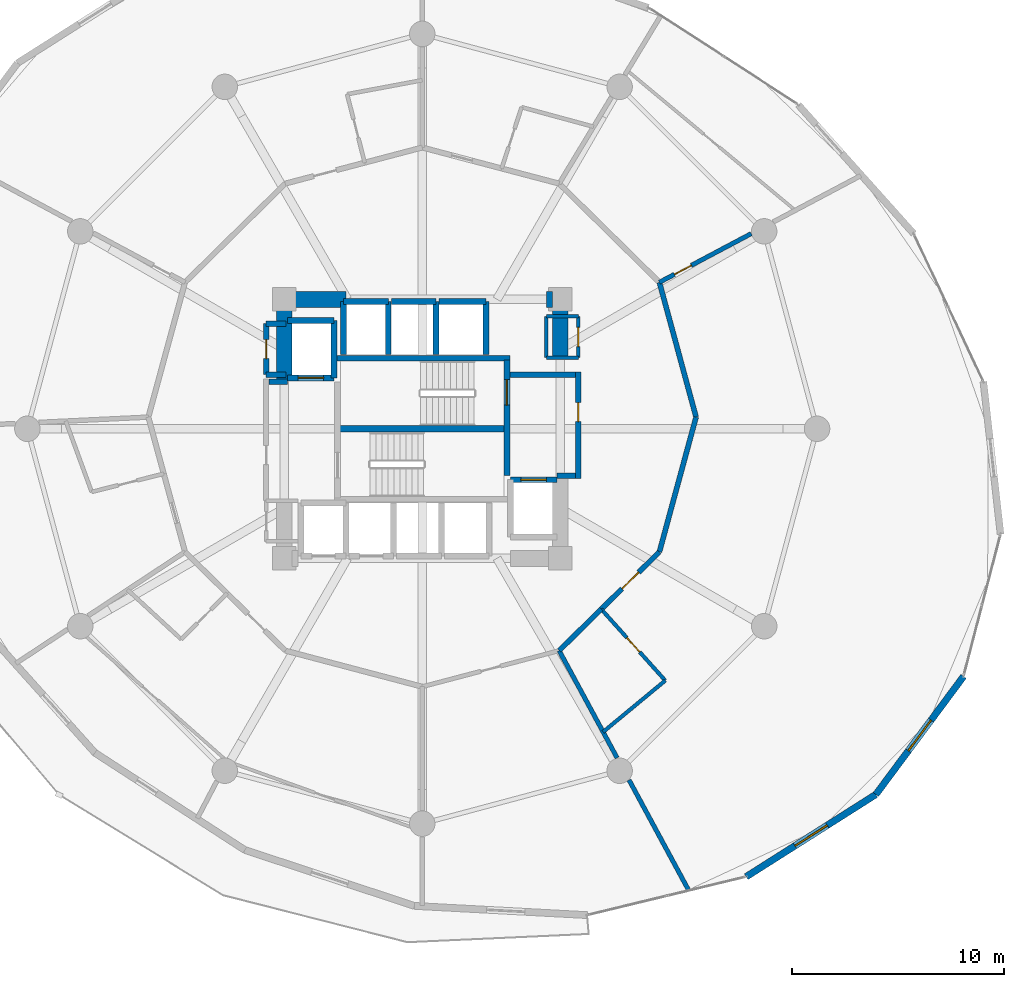
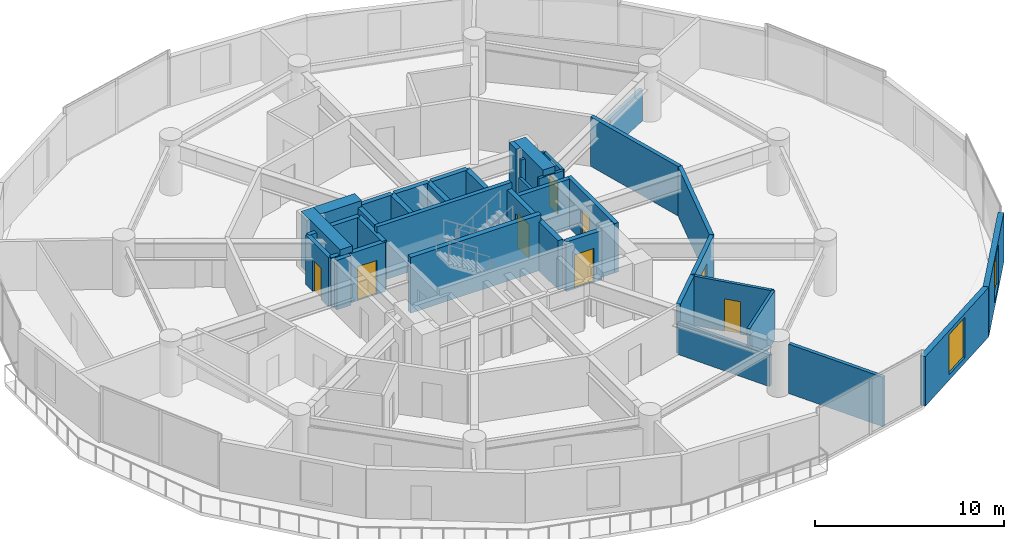
# One storey, part 20 of 24: 40 walls, 9 doors, 2 windows, 11 openings.
"""IFC4 building model written with IfcOpenShell, lengths in metres."""

from ifc_helpers import new_model, si_unit, direction, frame, frame_2d, origin, place, context, subcontext, project, spatial, rectangle, extrude, material, layer, layer_set, type_object, element, fill, save


model = new_model("IFC4")

# Units and contexts
model_context = context("Model", 3, precision=1e-05, world=origin(), true_north=direction((0.0, 1.0)))
body_context = subcontext(model_context, "Body", "Model", "MODEL_VIEW")
ifc_project = project(units=[si_unit("LENGTHUNIT", "METRE"), si_unit("AREAUNIT", "SQUARE_METRE"), si_unit("VOLUMEUNIT", "CUBIC_METRE"), si_unit("PLANEANGLEUNIT", "RADIAN"), si_unit("MASSUNIT", "GRAM", prefix="KILO")], contexts=[model_context])

# Site, building, storey
site_placement = place(None, origin())
site = spatial("IfcSite", under=ifc_project, at=site_placement, CompositionType="ELEMENT")
building_placement = place(site_placement, origin())
building = spatial("IfcBuilding", under=site, at=building_placement, Name="Solvirekh Grand Hotel", CompositionType="ELEMENT")
storey_placement = place(building_placement, frame((0.0, 0.0, 89.60009765625)))
storey = spatial("IfcBuildingStorey", under=building, at=storey_placement, Name="L22", CompositionType="ELEMENT", Elevation=89.60009765625)

# Walls
ifc_material_1 = material(Name="Concrete C50/60", Category="concrete")
ifc_layer_1 = layer(ifc_material_1, 0.35009765625)
ifc_layer_set_1 = layer_set([ifc_layer_1], Name="Concrete C50/60")
wall_type_1 = type_object("IfcWallType", Name="CoreDivWall_RC350", PredefinedType="SOLIDWALL", material=ifc_layer_set_1)
wall_1_placement = place(storey_placement, frame((-4.1298828125, 3.324951171875, 0.0), z_axis=(0.0, 0.0, 1.0), x_axis=(1.0, 0.0, 0.0)))
element("IfcWall", 1, at=wall_1_placement, inside=storey, type_object=wall_type_1, Name="L22 core stair box wall ST-N", PredefinedType="SOLIDWALL", context=body_context, shape_type="SweptSolid", body=[
    extrude(rectangle(XDim=8.259765625, YDim=0.25, at=frame_2d((4.1298828125, 0.0))), origin(), (0.0, 0.0, 1.0), 3.599853515625),
])
ifc_material_2 = material(Name="Concrete C40/50", Category="concrete")
ifc_layer_2 = layer(ifc_material_2, 0.280029296875)
ifc_layer_set_2 = layer_set([ifc_layer_2], Name="Concrete C40/50")
wall_type_2 = type_object("IfcWallType", Name="CoreShaftWall_RC280", PredefinedType="SOLIDWALL", material=ifc_layer_set_2)
wall_2_placement = place(storey_placement, frame((-1.60009765625, 6.0, 0.0), z_axis=(0.0, 0.0, 1.0), x_axis=(-1.0, 0.0, 0.0)))
element("IfcWall", 2, at=wall_2_placement, inside=storey, type_object=wall_type_2, Name="L22 HP-1 hoistway N wall", PredefinedType="SOLIDWALL", context=body_context, shape_type="SweptSolid", body=[
    extrude(rectangle(XDim=2.099853515625, YDim=0.280029296875, at=frame_2d((1.0498046875, 0.0))), origin(), (0.0, 0.0, 1.0), 3.199951171875),
])
for number, where, z_axis, x_axis, name in (
    (3, (-3.699951171875, 6.0, 0.0), (0.0, 0.0, 1.0), (0.0, -1.0, 0.0), "L22 HP-1 hoistway W wall"),
    (4, (-1.60009765625, 3.5, 0.0), (0.0, 0.0, 1.0), (0.0, 1.0, 0.0), "L22 HP-1 hoistway E wall"),
):
    element("IfcWall", number, at=place(storey_placement, frame(where, z_axis=z_axis, x_axis=x_axis)), inside=storey, type_object=wall_type_2, Name=name, PredefinedType="SOLIDWALL", context=body_context, shape_type="SweptSolid", body=[
        extrude(rectangle(XDim=2.5, YDim=0.280029296875, at=frame_2d((1.25, 0.0))), origin(), (0.0, 0.0, 1.0), 3.199951171875),
    ])
wall_3_placement = place(storey_placement, frame((0.64990234375, 6.0, 0.0), z_axis=(0.0, 0.0, 1.0), x_axis=(-1.0, 0.0, 0.0)))
element("IfcWall", 5, at=wall_3_placement, inside=storey, type_object=wall_type_2, Name="L22 HP-2 hoistway N wall", PredefinedType="SOLIDWALL", context=body_context, shape_type="SweptSolid", body=[
    extrude(rectangle(XDim=2.099853515625, YDim=0.280029296875, at=frame_2d((1.0498046875, 0.0))), origin(), (0.0, 0.0, 1.0), 3.199951171875),
])
wall_4_placement = place(storey_placement, frame((0.64990234375, 3.5, 0.0), z_axis=(0.0, 0.0, 1.0), x_axis=(0.0, 1.0, 0.0)))
element("IfcWall", 6, at=wall_4_placement, inside=storey, type_object=wall_type_2, Name="L22 HP-2 hoistway E wall", PredefinedType="SOLIDWALL", context=body_context, shape_type="SweptSolid", body=[
    extrude(rectangle(XDim=2.5, YDim=0.280029296875, at=frame_2d((1.25, 0.0))), origin(), (0.0, 0.0, 1.0), 3.199951171875),
])
wall_5_placement = place(storey_placement, frame((3.0, 6.0, 0.0), z_axis=(0.0, 0.0, 1.0), x_axis=(-1.0, 0.0, 0.0)))
element("IfcWall", 7, at=wall_5_placement, inside=storey, type_object=wall_type_2, Name="L22 EX-1 hoistway N wall", PredefinedType="SOLIDWALL", context=body_context, shape_type="SweptSolid", body=[
    extrude(rectangle(XDim=2.199951171875, YDim=0.280029296875, at=frame_2d((1.10009765625, 0.0))), origin(), (0.0, 0.0, 1.0), 3.199951171875),
])
wall_6_placement = place(storey_placement, frame((3.0, 3.5, 0.0), z_axis=(0.0, 0.0, 1.0), x_axis=(0.0, 1.0, 0.0)))
element("IfcWall", 8, at=wall_6_placement, inside=storey, type_object=wall_type_2, Name="L22 EX-1 hoistway E wall", PredefinedType="SOLIDWALL", context=body_context, shape_type="SweptSolid", body=[
    extrude(rectangle(XDim=2.5, YDim=0.280029296875, at=frame_2d((1.25, 0.0))), origin(), (0.0, 0.0, 1.0), 3.199951171875),
])

# Wall, opening, door
wall_7_placement = place(storey_placement, frame((-6.35009765625, 2.39990234375, 0.0), z_axis=(0.0, 0.0, 1.0), x_axis=(1.0, 0.0, 0.0)))
wall_7 = element("IfcWall", 9, at=wall_7_placement, inside=storey, type_object=wall_type_2, Name="L22 FL-1 hoistway S wall", PredefinedType="SOLIDWALL", context=body_context, shape_type="SweptSolid", body=[
    extrude(rectangle(XDim=2.2001953125, YDim=0.280029296875, at=frame_2d((1.10009765625, 0.0))), origin(), (0.0, 0.0, 1.0), 3.199951171875),
])
opening_1_placement = place(wall_7_placement, frame((0.5, 0.0, 0.0)))
opening_1 = element("IfcOpeningElement", 10, at=opening_1_placement, cuts=wall_7, Name="Opening LD02", PredefinedType="OPENING", context=body_context, shape_type="SweptSolid", body=[
    extrude(rectangle(XDim=1.199951171875, YDim=2.199951171875, at=frame_2d((0.60009765625, 1.10009765625))), frame((0.0, 0.14990234375, 0.0), z_axis=(0.0, -1.0, 0.0), x_axis=(1.0, 0.0, 0.0)), (0.0, 0.0, 1.0), 0.300048828125),
])
ifc_material_3 = material(Name="Fire-Rated Steel Door Assembly", Category="steel")
door_type_1 = type_object("IfcDoorType", Name="Door_LiftFF_1200X2200", OperationType="SLIDING_TO_LEFT", PredefinedType="DOOR", material=ifc_material_3)
door_1_placement = place(opening_1_placement, origin())
door_1 = element("IfcDoor", 11, at=door_1_placement, inside=storey, type_object=door_type_1, Name="L22 FL-1 sliding lift landing door", OperationType="SLIDING_TO_LEFT", OverallHeight=2.199951171875, OverallWidth=1.199951171875, PredefinedType="DOOR", context=body_context, shape_type="SweptSolid", body=[
    extrude(rectangle(XDim=1.199951171875, YDim=2.199951171875, at=frame_2d((0.60009765625, 1.10009765625))), frame((0.0, 0.02490234375, 0.0), z_axis=(0.0, -1.0, 0.0), x_axis=(1.0, 0.0, 0.0)), (0.0, 0.0, 1.0), 0.050048828125),
])
fill(opening_1, door_1)

# Walls
wall_8_placement = place(storey_placement, frame((-4.14990234375, 5.10009765625, 0.0), z_axis=(0.0, 0.0, 1.0), x_axis=(-1.0, 0.0, 0.0)))
element("IfcWall", 12, at=wall_8_placement, inside=storey, type_object=wall_type_2, Name="L22 FL-1 hoistway N wall", PredefinedType="SOLIDWALL", context=body_context, shape_type="SweptSolid", body=[
    extrude(rectangle(XDim=2.2001953125, YDim=0.280029296875, at=frame_2d((1.10009765625, 0.0))), origin(), (0.0, 0.0, 1.0), 3.199951171875),
])
wall_9_placement = place(storey_placement, frame((-4.14990234375, 2.39990234375, 0.0), z_axis=(0.0, 0.0, 1.0), x_axis=(0.0, 1.0, 0.0)))
element("IfcWall", 13, at=wall_9_placement, inside=storey, type_object=wall_type_2, Name="L22 FL-1 hoistway E wall", PredefinedType="SOLIDWALL", context=body_context, shape_type="SweptSolid", body=[
    extrude(rectangle(XDim=2.7001953125, YDim=0.280029296875, at=frame_2d((1.35009765625, 0.0))), origin(), (0.0, 0.0, 1.0), 3.199951171875),
])

# Wall, opening, door
wall_10_placement = place(storey_placement, frame((6.35009765625, -2.39990234375, 0.0), z_axis=(0.0, 0.0, 1.0), x_axis=(-1.0, 0.0, 0.0)))
wall_10 = element("IfcWall", 14, at=wall_10_placement, inside=storey, type_object=wall_type_2, Name="L22 FL-2 hoistway N wall", PredefinedType="SOLIDWALL", context=body_context, shape_type="SweptSolid", body=[
    extrude(rectangle(XDim=2.2001953125, YDim=0.280029296875, at=frame_2d((1.10009765625, 0.0))), origin(), (0.0, 0.0, 1.0), 3.199951171875),
])
opening_2_placement = place(wall_10_placement, frame((0.5, 0.0, 0.0)))
opening_2 = element("IfcOpeningElement", 15, at=opening_2_placement, cuts=wall_10, Name="Opening LD02", PredefinedType="OPENING", context=body_context, shape_type="SweptSolid", body=[
    extrude(rectangle(XDim=1.199951171875, YDim=2.199951171875, at=frame_2d((0.60009765625, 1.10009765625))), frame((0.0, 0.14990234375, 0.0), z_axis=(0.0, -1.0, 0.0), x_axis=(1.0, 0.0, 0.0)), (0.0, 0.0, 1.0), 0.300048828125),
])
door_2_placement = place(opening_2_placement, origin())
door_2 = element("IfcDoor", 16, at=door_2_placement, inside=storey, type_object=door_type_1, Name="L22 FL-2 sliding lift landing door", OperationType="SLIDING_TO_LEFT", OverallHeight=2.199951171875, OverallWidth=1.199951171875, PredefinedType="DOOR", context=body_context, shape_type="SweptSolid", body=[
    extrude(rectangle(XDim=1.199951171875, YDim=2.199951171875, at=frame_2d((0.60009765625, 1.10009765625))), frame((0.0, 0.02490234375, 0.0), z_axis=(0.0, -1.0, 0.0), x_axis=(1.0, 0.0, 0.0)), (0.0, 0.0, 1.0), 0.050048828125),
])
fill(opening_2, door_2)

wall_11_placement = place(storey_placement, frame((3.989990234375, -2.2099609375, 0.0), z_axis=(0.0, 0.0, 1.0), x_axis=(0.0, 1.0, 0.0)))
wall_11 = element("IfcWall", 17, at=wall_11_placement, inside=storey, type_object=wall_type_2, Name="L22 east stair landing enclosure wall", PredefinedType="SOLIDWALL", context=body_context, shape_type="SweptSolid", body=[
    extrude(rectangle(XDim=5.4599609375, YDim=0.280029296875, at=frame_2d((2.72998046875, 0.0))), origin(), (0.0, 0.0, 1.0), 3.199951171875),
])
opening_3_placement = place(wall_11_placement, frame((3.322998046875, 0.0, 0.0)))
opening_3 = element("IfcOpeningElement", 18, at=opening_3_placement, cuts=wall_11, Name="Opening D05", PredefinedType="OPENING", context=body_context, shape_type="SweptSolid", body=[
    extrude(rectangle(XDim=1.199951171875, YDim=2.199951171875, at=frame_2d((0.60009765625, 1.10009765625))), frame((0.0, 0.14990234375, 0.0), z_axis=(0.0, -1.0, 0.0), x_axis=(1.0, 0.0, 0.0)), (0.0, 0.0, 1.0), 0.300048828125),
])
door_type_2 = type_object("IfcDoorType", Name="Door_StairCore_1200X2200", OperationType="NOTDEFINED", PredefinedType="DOOR", material=ifc_material_3)
door_3_placement = place(opening_3_placement, origin())
door_3 = element("IfcDoor", 19, at=door_3_placement, inside=storey, type_object=door_type_2, Name="L22 exit stair ST-2 fire door", OperationType="SINGLE_SWING_LEFT", OverallHeight=2.199951171875, OverallWidth=1.199951171875, PredefinedType="DOOR", context=body_context, shape_type="SweptSolid", body=[
    extrude(rectangle(XDim=1.199951171875, YDim=2.199951171875, at=frame_2d((0.60009765625, 1.10009765625))), frame((0.0, 0.02490234375, 0.0), z_axis=(0.0, -1.0, 0.0), x_axis=(1.0, 0.0, 0.0)), (0.0, 0.0, 1.0), 0.050048828125),
])
fill(opening_3, door_3)

# Walls
ifc_material_4 = material(Name="Concrete C60/75", Category="concrete")
ifc_layer_3 = layer(ifc_material_4, 0.75)
ifc_layer_set_3 = layer_set([ifc_layer_3], Name="Concrete C60/75")
wall_type_3 = type_object("IfcWallType", Name="CoreWall_RC750", PredefinedType="SHEAR", material=ifc_layer_set_3)
wall_12_placement = place(storey_placement, frame((-3.989990234375, 0.0, 0.0), z_axis=(0.0, 0.0, 1.0), x_axis=(1.0, 0.0, 0.0)))
element("IfcWall", 20, at=wall_12_placement, inside=storey, type_object=wall_type_3, Name="L22 central stair-spine shear wall", PredefinedType="SHEAR", context=body_context, shape_type="SweptSolid", body=[
    extrude(rectangle(XDim=7.97998046875, YDim=0.300048828125, at=frame_2d((3.989990234375, 0.0))), origin(), (0.0, 0.0, 1.0), 3.599853515625),
])
wall_13_placement = place(storey_placement, frame((-6.125, 6.10009765625, 0.0), z_axis=(0.0, 0.0, 1.0), x_axis=(1.0, 0.0, 0.0)))
element("IfcWall", 21, at=wall_13_placement, inside=storey, type_object=wall_type_3, Name="L22 core corner shear wall NW-N", PredefinedType="SHEAR", context=body_context, shape_type="SweptSolid", body=[
    extrude(rectangle(XDim=2.52490234375, YDim=0.75, at=frame_2d((1.262451171875, 0.0))), origin(), (0.0, 0.0, 1.0), 3.599853515625),
])
wall_14_placement = place(storey_placement, frame((5.85009765625, 6.10009765625, 0.0), z_axis=(0.0, 0.0, 1.0), x_axis=(1.0, 0.0, 0.0)))
element("IfcWall", 22, at=wall_14_placement, inside=storey, type_object=wall_type_3, Name="L22 core corner shear wall NE-N", PredefinedType="SHEAR", context=body_context, shape_type="SweptSolid", body=[
    extrude(rectangle(XDim=0.27490234375, YDim=0.75, at=frame_2d((0.137451171875, 0.0))), origin(), (0.0, 0.0, 1.0), 3.599853515625),
])
wall_15_placement = place(storey_placement, frame((-6.5, 2.35009765625, 0.0), z_axis=(0.0, 0.0, 1.0), x_axis=(0.0, 1.0, 0.0)))
element("IfcWall", 23, at=wall_15_placement, inside=storey, type_object=wall_type_3, Name="L22 core corner shear wall WN-W", PredefinedType="SHEAR", context=body_context, shape_type="SweptSolid", body=[
    extrude(rectangle(XDim=4.125, YDim=0.75, at=frame_2d((2.0625, 0.0))), origin(), (0.0, 0.0, 1.0), 3.599853515625),
])
wall_16_placement = place(storey_placement, frame((6.5, 3.35009765625, 0.0), z_axis=(0.0, 0.0, 1.0), x_axis=(0.0, 1.0, 0.0)))
element("IfcWall", 24, at=wall_16_placement, inside=storey, type_object=wall_type_3, Name="L22 core corner shear wall EN-E", PredefinedType="SHEAR", context=body_context, shape_type="SweptSolid", body=[
    extrude(rectangle(XDim=3.125, YDim=0.75, at=frame_2d((1.5625, 0.0))), origin(), (0.0, 0.0, 1.0), 3.599853515625),
])

# Wall, opening, window
ifc_material_5 = material(Name="Precast concrete C45/55", Category="concrete")
ifc_layer_4 = layer(ifc_material_5, 0.320068359375)
ifc_layer_set_4 = layer_set([ifc_layer_4], Name="Precast concrete C45/55")
wall_type_4 = type_object("IfcWallType", Name="ExtLobbyWall_RC320", PredefinedType="SOLIDWALL", material=ifc_layer_set_4)
wall_17_placement = place(storey_placement, frame((21.3701171875, -17.22607421875, 0.0), z_axis=(0.0, 0.0, 1.0), x_axis=(-0.844473577477, -0.535597215213, 0.0)))
wall_17 = element("IfcWall", 25, at=wall_17_placement, inside=storey, type_object=wall_type_4, Name="L22 exterior structural wall chord 19", PredefinedType="SOLIDWALL", context=body_context, shape_type="SweptSolid", body=[
    extrude(rectangle(XDim=7.233154296875, YDim=0.320068359375, at=frame_2d((3.61669921875, 0.0))), origin(), (0.0, 0.0, 1.0), 3.199951171875),
])
opening_4_placement = place(wall_17_placement, frame((2.716064453125, 0.0, 0.35009765625)))
opening_4 = element("IfcOpeningElement", 26, at=opening_4_placement, cuts=wall_17, Name="Opening W02", PredefinedType="OPENING", context=body_context, shape_type="SweptSolid", body=[
    extrude(rectangle(XDim=1.800048828125, YDim=2.60009765625, at=frame_2d((0.89990234375, 1.300048828125))), frame((0.0, 0.169921875, 0.0), z_axis=(0.0, -1.0, 0.0), x_axis=(1.0, 0.0, 0.0)), (0.0, 0.0, 1.0), 0.340087890625),
])
ifc_material_6 = material(Name="Low-E Tinted Bronze Laminated Glass", Category="aluminium")
window_type = type_object("IfcWindowType", Name="Win_LobbyExt_1800X2600", PartitioningType="SINGLE_PANEL", PredefinedType="WINDOW", material=ifc_material_6)
window_1_placement = place(opening_4_placement, origin())
window_1 = element("IfcWindow", 27, at=window_1_placement, inside=storey, type_object=window_type, Name="L22 panoramic bronze-framed window 19", OverallHeight=2.60009765625, OverallWidth=1.800048828125, PartitioningType="SINGLE_PANEL", PredefinedType="WINDOW", context=body_context, shape_type="SweptSolid", body=[
    extrude(rectangle(XDim=1.800048828125, YDim=2.60009765625, at=frame_2d((0.89990234375, 1.300048828125))), frame((0.0, 0.030029296875, 0.0), z_axis=(0.0, -1.0, 0.0), x_axis=(1.0, 0.0, 0.0)), (0.0, 0.0, 1.0), 0.06005859375),
])
fill(opening_4, window_1)

wall_18_placement = place(storey_placement, frame((25.4990234375, -11.666015625, 0.0), z_axis=(0.0, 0.0, 1.0), x_axis=(-0.596191587438, -0.80284219562, 0.0)))
wall_18 = element("IfcWall", 28, at=wall_18_placement, inside=storey, type_object=wall_type_4, Name="L22 exterior structural wall chord 20", PredefinedType="SOLIDWALL", context=body_context, shape_type="SweptSolid", body=[
    extrude(rectangle(XDim=6.925537109375, YDim=0.320068359375, at=frame_2d((3.462890625, 0.0))), origin(), (0.0, 0.0, 1.0), 3.199951171875),
])
opening_5_placement = place(wall_18_placement, frame((2.56298828125, 0.0, 0.35009765625)))
opening_5 = element("IfcOpeningElement", 29, at=opening_5_placement, cuts=wall_18, Name="Opening W02", PredefinedType="OPENING", context=body_context, shape_type="SweptSolid", body=[
    extrude(rectangle(XDim=1.800048828125, YDim=2.60009765625, at=frame_2d((0.89990234375, 1.300048828125))), frame((0.0, 0.169921875, 0.0), z_axis=(0.0, -1.0, 0.0), x_axis=(1.0, 0.0, 0.0)), (0.0, 0.0, 1.0), 0.340087890625),
])
window_2_placement = place(opening_5_placement, origin())
window_2 = element("IfcWindow", 30, at=window_2_placement, inside=storey, type_object=window_type, Name="L22 panoramic bronze-framed window 20", OverallHeight=2.60009765625, OverallWidth=1.800048828125, PartitioningType="SINGLE_PANEL", PredefinedType="WINDOW", context=body_context, shape_type="SweptSolid", body=[
    extrude(rectangle(XDim=1.800048828125, YDim=2.60009765625, at=frame_2d((0.89990234375, 1.300048828125))), frame((0.0, 0.030029296875, 0.0), z_axis=(0.0, -1.0, 0.0), x_axis=(1.0, 0.0, 0.0)), (0.0, 0.0, 1.0), 0.06005859375),
])
fill(opening_5, window_2)

# Wall
ifc_material_7 = material(Name="Acoustic Gypsum Partition Assembly")
ifc_layer_5 = layer(ifc_material_7, 0.1650390625)
ifc_layer_set_5 = layer_set([ifc_layer_5], Name="Acoustic Gypsum Partition Assembly")
wall_type_5 = type_object("IfcWallType", Name="Part_BOH_165", PredefinedType="PARTITIONING", material=ifc_layer_set_5)
wall_19_placement = place(storey_placement, frame((5.85009765625, 3.35009765625, 0.0), z_axis=(0.0, 0.0, 1.0), x_axis=(1.0, 0.0, 0.0)))
element("IfcWall", 31, at=wall_19_placement, inside=storey, type_object=wall_type_5, Name="L22 L22 Core Housekeeping Room wall 1", PredefinedType="PARTITIONING", context=body_context, shape_type="SweptSolid", body=[
    extrude(rectangle(XDim=1.5, YDim=0.1650390625, at=frame_2d((0.75, 0.0))), origin(), (0.0, 0.0, 1.0), 3.199951171875),
])

# Wall, opening, door
wall_20_placement = place(storey_placement, frame((7.35009765625, 3.35009765625, 0.0), z_axis=(0.0, 0.0, 1.0), x_axis=(0.0, 1.0, 0.0)))
wall_20 = element("IfcWall", 32, at=wall_20_placement, inside=storey, type_object=wall_type_5, Name="L22 L22 Core Housekeeping Room wall 2", PredefinedType="PARTITIONING", context=body_context, shape_type="SweptSolid", body=[
    extrude(rectangle(XDim=1.949951171875, YDim=0.1650390625, at=frame_2d((0.97509765625, 0.0))), origin(), (0.0, 0.0, 1.0), 3.199951171875),
])
opening_6_placement = place(wall_20_placement, frame((0.52490234375, 0.0, 0.0)))
opening_6 = element("IfcOpeningElement", 33, at=opening_6_placement, cuts=wall_20, Name="Opening D14", PredefinedType="OPENING", context=body_context, shape_type="SweptSolid", body=[
    extrude(rectangle(XDim=0.89990234375, YDim=2.02001953125, at=frame_2d((0.449951171875, 1.010009765625))), frame((0.0, 0.092529296875, 0.0), z_axis=(0.0, -1.0, 0.0), x_axis=(1.0, 0.0, 0.0)), (0.0, 0.0, 1.0), 0.18505859375),
])
door_type_3 = type_object("IfcDoorType", Name="Door_LowHeadroom_900X2020", OperationType="NOTDEFINED", PredefinedType="DOOR", material=ifc_material_3)
door_4_placement = place(opening_6_placement, origin())
door_4 = element("IfcDoor", 34, at=door_4_placement, inside=storey, type_object=door_type_3, Name="L22 L22 Core Housekeeping Room door", OperationType="SINGLE_SWING_RIGHT", OverallHeight=2.02001953125, OverallWidth=0.89990234375, PredefinedType="DOOR", context=body_context, shape_type="SweptSolid", body=[
    extrude(rectangle(XDim=0.89990234375, YDim=2.02001953125, at=frame_2d((0.449951171875, 1.010009765625))), frame((0.0, 0.02490234375, 0.0), z_axis=(0.0, -1.0, 0.0), x_axis=(1.0, 0.0, 0.0)), (0.0, 0.0, 1.0), 0.050048828125),
])
fill(opening_6, door_4)

# Walls
wall_21_placement = place(storey_placement, frame((7.35009765625, 5.300048828125, 0.0), z_axis=(0.0, 0.0, 1.0), x_axis=(-1.0, 0.0, 0.0)))
element("IfcWall", 35, at=wall_21_placement, inside=storey, type_object=wall_type_5, Name="L22 L22 Core Housekeeping Room wall 3", PredefinedType="PARTITIONING", context=body_context, shape_type="SweptSolid", body=[
    extrude(rectangle(XDim=1.5, YDim=0.1650390625, at=frame_2d((0.75, 0.0))), origin(), (0.0, 0.0, 1.0), 3.199951171875),
])
wall_22_placement = place(storey_placement, frame((5.85009765625, 5.300048828125, 0.0), z_axis=(0.0, 0.0, 1.0), x_axis=(0.0, -1.0, 0.0)))
element("IfcWall", 36, at=wall_22_placement, inside=storey, type_object=wall_type_5, Name="L22 L22 Core Housekeeping Room wall 4", PredefinedType="PARTITIONING", context=body_context, shape_type="SweptSolid", body=[
    extrude(rectangle(XDim=1.949951171875, YDim=0.1650390625, at=frame_2d((0.97509765625, 0.0))), origin(), (0.0, 0.0, 1.0), 2.06689453125),
])

# Wall, opening, door
ifc_layer_6 = layer(ifc_material_7, 0.239990234375)
ifc_layer_set_6 = layer_set([ifc_layer_6], Name="Acoustic Gypsum Partition Assembly")
wall_type_6 = type_object("IfcWallType", Name="Part_Corridor_240", PredefinedType="PARTITIONING", material=ifc_layer_set_6)
wall_23_placement = place(storey_placement, frame((7.35009765625, -2.340087890625, 0.0), z_axis=(0.0, 0.0, 1.0), x_axis=(0.0, 1.0, 0.0)))
wall_23 = element("IfcWall", 37, at=wall_23_placement, inside=storey, type_object=wall_type_6, Name="L22 east firefighting lobby smoke screen wall", PredefinedType="PARTITIONING", context=body_context, shape_type="SweptSolid", body=[
    extrude(rectangle(XDim=5.02001953125, YDim=0.239990234375, at=frame_2d((2.510009765625, 0.0))), origin(), (0.0, 0.0, 1.0), 3.199951171875),
])
opening_7_placement = place(wall_23_placement, frame((2.677978515625, 0.0, 0.0)))
opening_7 = element("IfcOpeningElement", 38, at=opening_7_placement, cuts=wall_23, Name="Opening D14", PredefinedType="OPENING", context=body_context, shape_type="SweptSolid", body=[
    extrude(rectangle(XDim=0.89990234375, YDim=2.02001953125, at=frame_2d((0.449951171875, 1.010009765625))), frame((0.0, 0.1298828125, 0.0), z_axis=(0.0, -1.0, 0.0), x_axis=(1.0, 0.0, 0.0)), (0.0, 0.0, 1.0), 0.260009765625),
])
door_5_placement = place(opening_7_placement, origin())
door_5 = element("IfcDoor", 39, at=door_5_placement, inside=storey, type_object=door_type_3, Name="L22 east firefighting lobby smoke door", OperationType="SINGLE_SWING_LEFT", OverallHeight=2.02001953125, OverallWidth=0.89990234375, PredefinedType="DOOR", context=body_context, shape_type="SweptSolid", body=[
    extrude(rectangle(XDim=0.89990234375, YDim=2.02001953125, at=frame_2d((0.449951171875, 1.010009765625))), frame((0.0, 0.02490234375, 0.0), z_axis=(0.0, -1.0, 0.0), x_axis=(1.0, 0.0, 0.0)), (0.0, 0.0, 1.0), 0.050048828125),
])
fill(opening_7, door_5)

# Walls
wall_24_placement = place(storey_placement, frame((6.449951171875, -10.448974609375, 0.0), z_axis=(0.0, 0.0, 1.0), x_axis=(0.712524314294, 0.701647419677, 0.0)))
element("IfcWall", 40, at=wall_24_placement, inside=storey, type_object=wall_type_6, Name="L22 En-suite Bathroom 2401 corridor backing wall", PredefinedType="PARTITIONING", context=body_context, shape_type="SweptSolid", body=[
    extrude(rectangle(XDim=2.783203125, YDim=0.239990234375, at=frame_2d((1.3916015625, 0.0))), origin(), (0.0, 0.0, 1.0), 3.199951171875),
])
wall_25_placement = place(storey_placement, frame((11.172119140625, -5.800048828125, 0.0), z_axis=(0.0, 0.0, 1.0), x_axis=(0.262542910092, 0.964920318141, 0.0)))
element("IfcWall", 41, at=wall_25_placement, inside=storey, type_object=wall_type_6, Name="L22 Presidential Suite 2401 Living Room corridor wall 1", PredefinedType="PARTITIONING", context=body_context, shape_type="SweptSolid", body=[
    extrude(rectangle(XDim=6.5810546875, YDim=0.239990234375, at=frame_2d((3.29052734375, 0.0))), origin(), (0.0, 0.0, 1.0), 3.199951171875),
])
wall_26_placement = place(storey_placement, frame((12.89990234375, 0.550048828125, 0.0), z_axis=(0.0, 0.0, 1.0), x_axis=(-0.262552308576, 0.96491776088, 0.0)))
element("IfcWall", 42, at=wall_26_placement, inside=storey, type_object=wall_type_6, Name="L22 Presidential Suite 2401 Living Room corridor wall 2", PredefinedType="PARTITIONING", context=body_context, shape_type="SweptSolid", body=[
    extrude(rectangle(XDim=6.580810546875, YDim=0.239990234375, at=frame_2d((3.29052734375, 0.0))), origin(), (0.0, 0.0, 1.0), 3.199951171875),
])

# Wall, opening, door
wall_27_placement = place(storey_placement, frame((8.43310546875, -8.49609375, 0.0), z_axis=(0.0, 0.0, 1.0), x_axis=(0.712674788685, 0.70149457986, 0.0)))
wall_27 = element("IfcWall", 43, at=wall_27_placement, inside=storey, type_object=wall_type_6, Name="L22 Presidential Suite 2401 Living Room entrance wall", PredefinedType="PARTITIONING", context=body_context, shape_type="SweptSolid", body=[
    extrude(rectangle(XDim=3.84326171875, YDim=0.239990234375, at=frame_2d((1.921630859375, 0.0))), origin(), (0.0, 0.0, 1.0), 3.199951171875),
])
opening_8_placement = place(wall_27_placement, frame((1.3720703125, 0.0, 0.0)))
opening_8 = element("IfcOpeningElement", 44, at=opening_8_placement, cuts=wall_27, Name="Opening D08", PredefinedType="OPENING", context=body_context, shape_type="SweptSolid", body=[
    extrude(rectangle(XDim=1.10009765625, YDim=2.300048828125, at=frame_2d((0.550048828125, 1.14990234375))), frame((0.0, 0.1298828125, 0.0), z_axis=(0.0, -1.0, 0.0), x_axis=(1.0, 0.0, 0.0)), (0.0, 0.0, 1.0), 0.260009765625),
])
door_type_4 = type_object("IfcDoorType", Name="Door_SuiteEntry_1100X2300", OperationType="NOTDEFINED", PredefinedType="DOOR", material=ifc_material_3)
door_6_placement = place(opening_8_placement, origin())
door_6 = element("IfcDoor", 45, at=door_6_placement, inside=storey, type_object=door_type_4, Name="L22 Presidential Suite 2401 Living Room entrance door", OperationType="SINGLE_SWING_RIGHT", OverallHeight=2.300048828125, OverallWidth=1.10009765625, PredefinedType="DOOR", context=body_context, shape_type="SweptSolid", body=[
    extrude(rectangle(XDim=1.10009765625, YDim=2.300048828125, at=frame_2d((0.550048828125, 1.14990234375))), frame((0.0, 0.02490234375, 0.0), z_axis=(0.0, -1.0, 0.0), x_axis=(1.0, 0.0, 0.0)), (0.0, 0.0, 1.0), 0.050048828125),
])
fill(opening_8, door_6)

# Walls
ifc_layer_7 = layer(ifc_material_7, 0.260009765625)
ifc_layer_set_7 = layer_set([ifc_layer_7], Name="Acoustic Gypsum Partition Assembly")
wall_type_7 = type_object("IfcWallType", Name="Part_LobbyFF_260", PredefinedType="PARTITIONING", material=ifc_layer_set_7)
for number, where, z_axis, x_axis, name in (
    (46, (-7.22509765625, 2.2099609375, 0.0), (0.0, 0.0, 1.0), (1.0, 0.0, 0.0), "L22 west firefighting lobby NW cheek"),
    (47, (6.35009765625, -2.2099609375, 0.0), (0.0, 0.0, 1.0), (1.0, 0.0, 0.0), "L22 east firefighting lobby SE cheek"),
):
    element("IfcWall", number, at=place(storey_placement, frame(where, z_axis=z_axis, x_axis=x_axis)), inside=storey, type_object=wall_type_7, Name=name, PredefinedType="PARTITIONING", context=body_context, shape_type="SweptSolid", body=[
        extrude(rectangle(XDim=0.875, YDim=0.260009765625, at=frame_2d((0.4375, 0.0))), origin(), (0.0, 0.0, 1.0), 3.199951171875),
    ])
wall_28_placement = place(storey_placement, frame((4.1298828125, 2.550048828125, 0.0), z_axis=(0.0, 0.0, 1.0), x_axis=(1.0, 0.0, 0.0)))
element("IfcWall", 48, at=wall_28_placement, inside=storey, type_object=wall_type_7, Name="L22 east firefighting lobby north partition", PredefinedType="PARTITIONING", context=body_context, shape_type="SweptSolid", body=[
    extrude(rectangle(XDim=3.09521484375, YDim=0.260009765625, at=frame_2d((1.547607421875, 0.0))), origin(), (0.0, 0.0, 1.0), 3.199951171875),
])
for number, where, z_axis, x_axis, name in (
    (49, (-7.35009765625, 4.949951171875, 0.0), (0.0, 0.0, 1.0), (1.0, 0.0, 0.0), "L22 NW telecom metering cupboard north wall"),
    (50, (-7.35009765625, 2.550048828125, 0.0), (0.0, 0.0, 1.0), (1.0, 0.0, 0.0), "L22 NW telecom metering cupboard south wall"),
):
    element("IfcWall", number, at=place(storey_placement, frame(where, z_axis=z_axis, x_axis=x_axis)), inside=storey, type_object=wall_type_7, Name=name, PredefinedType="PARTITIONING", context=body_context, shape_type="SweptSolid", body=[
        extrude(rectangle(XDim=0.93017578125, YDim=0.260009765625, at=frame_2d((0.465087890625, 0.0))), origin(), (0.0, 0.0, 1.0), 3.199951171875),
    ])

# Wall, opening, door
wall_29_placement = place(storey_placement, frame((-7.35009765625, 2.550048828125, 0.0), z_axis=(0.0, 0.0, 1.0), x_axis=(0.0, 1.0, 0.0)))
wall_29 = element("IfcWall", 51, at=wall_29_placement, inside=storey, type_object=wall_type_7, Name="L22 NW telecom metering cupboard access wall", PredefinedType="PARTITIONING", context=body_context, shape_type="SweptSolid", body=[
    extrude(rectangle(XDim=2.39990234375, YDim=0.260009765625, at=frame_2d((1.199951171875, 0.0))), origin(), (0.0, 0.0, 1.0), 3.199951171875),
])
opening_9_placement = place(wall_29_placement, frame((0.75, 0.0, 0.0)))
opening_9 = element("IfcOpeningElement", 52, at=opening_9_placement, cuts=wall_29, Name="Opening D14", PredefinedType="OPENING", context=body_context, shape_type="SweptSolid", body=[
    extrude(rectangle(XDim=0.89990234375, YDim=2.02001953125, at=frame_2d((0.449951171875, 1.010009765625))), frame((0.0, 0.14013671875, 0.0), z_axis=(0.0, -1.0, 0.0), x_axis=(1.0, 0.0, 0.0)), (0.0, 0.0, 1.0), 0.280029296875),
])
door_7_placement = place(opening_9_placement, origin())
door_7 = element("IfcDoor", 53, at=door_7_placement, inside=storey, type_object=door_type_3, Name="L22 telecom metering cupboard access door", OperationType="SINGLE_SWING_RIGHT", OverallHeight=2.02001953125, OverallWidth=0.89990234375, PredefinedType="DOOR", context=body_context, shape_type="SweptSolid", body=[
    extrude(rectangle(XDim=0.89990234375, YDim=2.02001953125, at=frame_2d((0.449951171875, 1.010009765625))), frame((0.0, 0.02490234375, 0.0), z_axis=(0.0, -1.0, 0.0), x_axis=(1.0, 0.0, 0.0)), (0.0, 0.0, 1.0), 0.050048828125),
])
fill(opening_9, door_7)

ifc_layer_8 = layer(ifc_material_7, 0.2099609375)
ifc_layer_set_8 = layer_set([ifc_layer_8], Name="Acoustic Gypsum Partition Assembly")
wall_type_8 = type_object("IfcWallType", Name="Part_SuiteDemise_210", PredefinedType="PARTITIONING", material=ifc_layer_set_8)
wall_30_placement = place(storey_placement, frame((11.172119140625, 6.89990234375, 0.0), z_axis=(0.0, 0.0, 1.0), x_axis=(0.883592505471, 0.468256643599, 0.0)))
wall_30 = element("IfcWall", 54, at=wall_30_placement, inside=storey, type_object=wall_type_8, Name="L22 suite radial wall 2 (A)", PredefinedType="PARTITIONING", context=body_context, shape_type="SweptSolid", body=[
    extrude(rectangle(XDim=4.894775390625, YDim=0.2099609375, at=frame_2d((2.447265625, 0.0))), origin(), (0.0, 0.0, 1.0), 2.06689453125),
])
opening_10_placement = place(wall_30_placement, frame((0.799072265625, 0.0, 0.0)))
opening_10 = element("IfcOpeningElement", 55, at=opening_10_placement, cuts=wall_30, Name="Opening D14", PredefinedType="OPENING", context=body_context, shape_type="SweptSolid", body=[
    extrude(rectangle(XDim=0.89990234375, YDim=2.02001953125, at=frame_2d((0.449951171875, 1.010009765625))), frame((0.0, 0.114990234375, 0.0), z_axis=(0.0, -1.0, 0.0), x_axis=(1.0, 0.0, 0.0)), (0.0, 0.0, 1.0), 0.22998046875),
])
door_8_placement = place(opening_10_placement, origin())
door_8 = element("IfcDoor", 56, at=door_8_placement, inside=storey, type_object=door_type_3, Name="L22 Presidential Suite 2401 Suite Foyer suite connecting door", OperationType="SINGLE_SWING_LEFT", OverallHeight=2.02001953125, OverallWidth=0.89990234375, PredefinedType="DOOR", context=body_context, shape_type="SweptSolid", body=[
    extrude(rectangle(XDim=0.89990234375, YDim=2.02001953125, at=frame_2d((0.449951171875, 1.010009765625))), frame((0.0, 0.02490234375, 0.0), z_axis=(0.0, -1.0, 0.0), x_axis=(1.0, 0.0, 0.0)), (0.0, 0.0, 1.0), 0.050048828125),
])
fill(opening_10, door_8)

# Walls
wall_31_placement = place(storey_placement, frame((6.449951171875, -10.448974609375, 0.0), z_axis=(0.0, 0.0, 1.0), x_axis=(0.475344473231, -0.879799767998, 0.0)))
element("IfcWall", 57, at=wall_31_placement, inside=storey, type_object=wall_type_8, Name="L22 suite radial wall 11 (A)", PredefinedType="PARTITIONING", context=body_context, shape_type="SweptSolid", body=[
    extrude(rectangle(XDim=5.7412109375, YDim=0.2099609375, at=frame_2d((2.87060546875, 0.0))), origin(), (0.0, 0.0, 1.0), 2.06689453125),
])
wall_32_placement = place(storey_placement, frame((9.741943359375, -16.5419921875, 0.0), z_axis=(0.0, 0.0, 1.0), x_axis=(0.475420692092, -0.879758583664, 0.0)))
element("IfcWall", 58, at=wall_32_placement, inside=storey, type_object=wall_type_8, Name="L22 suite radial wall 11 (B)", PredefinedType="PARTITIONING", context=body_context, shape_type="SweptSolid", body=[
    extrude(rectangle(XDim=5.883544921875, YDim=0.2099609375, at=frame_2d((2.94189453125, 0.0))), origin(), (0.0, 0.0, 1.0), 3.199951171875),
])
ifc_layer_9 = layer(ifc_material_7, 0.175048828125)
ifc_layer_set_9 = layer_set([ifc_layer_9], Name="Acoustic Gypsum Partition Assembly")
wall_type_9 = type_object("IfcWallType", Name="Plumb_Ensuite_175", PredefinedType="PLUMBINGWALL", material=ifc_layer_set_9)
wall_33_placement = place(storey_placement, frame((8.52001953125, -14.280029296875, 0.0), z_axis=(0.0, 0.0, 1.0), x_axis=(0.770654375428, 0.637253351215, 0.0)))
element("IfcWall", 59, at=wall_33_placement, inside=storey, type_object=wall_type_9, Name="L22 En-suite Bathroom 2401 outer plumbing wall", PredefinedType="PLUMBINGWALL", context=body_context, shape_type="SweptSolid", body=[
    extrude(rectangle(XDim=3.79931640625, YDim=0.175048828125, at=frame_2d((1.899658203125, 0.0))), origin(), (0.0, 0.0, 1.0), 3.199951171875),
])

# Wall, opening, door
wall_34_placement = place(storey_placement, frame((8.43310546875, -8.49609375, 0.0), z_axis=(0.0, 0.0, 1.0), x_axis=(0.667541915613, -0.74457222007, 0.0)))
wall_34 = element("IfcWall", 60, at=wall_34_placement, inside=storey, type_object=wall_type_9, Name="L22 En-suite Bathroom 2401 entry plumbing wall", PredefinedType="PLUMBINGWALL", context=body_context, shape_type="SweptSolid", body=[
    extrude(rectangle(XDim=4.516357421875, YDim=0.175048828125, at=frame_2d((2.25830078125, 0.0))), origin(), (0.0, 0.0, 1.0), 3.199951171875),
])
opening_11_placement = place(wall_34_placement, frame((1.80810546875, 0.0, 0.0)))
opening_11 = element("IfcOpeningElement", 61, at=opening_11_placement, cuts=wall_34, Name="Opening D09", PredefinedType="OPENING", context=body_context, shape_type="SweptSolid", body=[
    extrude(rectangle(XDim=0.89990234375, YDim=2.10009765625, at=frame_2d((0.449951171875, 1.050048828125))), frame((0.0, 0.09765625, 0.0), z_axis=(0.0, -1.0, 0.0), x_axis=(1.0, 0.0, 0.0)), (0.0, 0.0, 1.0), 0.195068359375),
])
ifc_material_8 = material(Name="Anodized Bronze Aluminium 6063-T6", Category="aluminium")
door_type_5 = type_object("IfcDoorType", Name="Door_Ensuite_900X2100", OperationType="NOTDEFINED", PredefinedType="DOOR", material=ifc_material_8)
door_9_placement = place(opening_11_placement, origin())
door_9 = element("IfcDoor", 62, at=door_9_placement, inside=storey, type_object=door_type_5, Name="L22 En-suite Bathroom 2401 door", OperationType="SINGLE_SWING_LEFT", OverallHeight=2.10009765625, OverallWidth=0.89990234375, PredefinedType="DOOR", context=body_context, shape_type="SweptSolid", body=[
    extrude(rectangle(XDim=0.89990234375, YDim=2.10009765625, at=frame_2d((0.449951171875, 1.050048828125))), frame((0.0, 0.02490234375, 0.0), z_axis=(0.0, -1.0, 0.0), x_axis=(1.0, 0.0, 0.0)), (0.0, 0.0, 1.0), 0.050048828125),
])
fill(opening_11, door_9)

save(model, "model.ifc")
